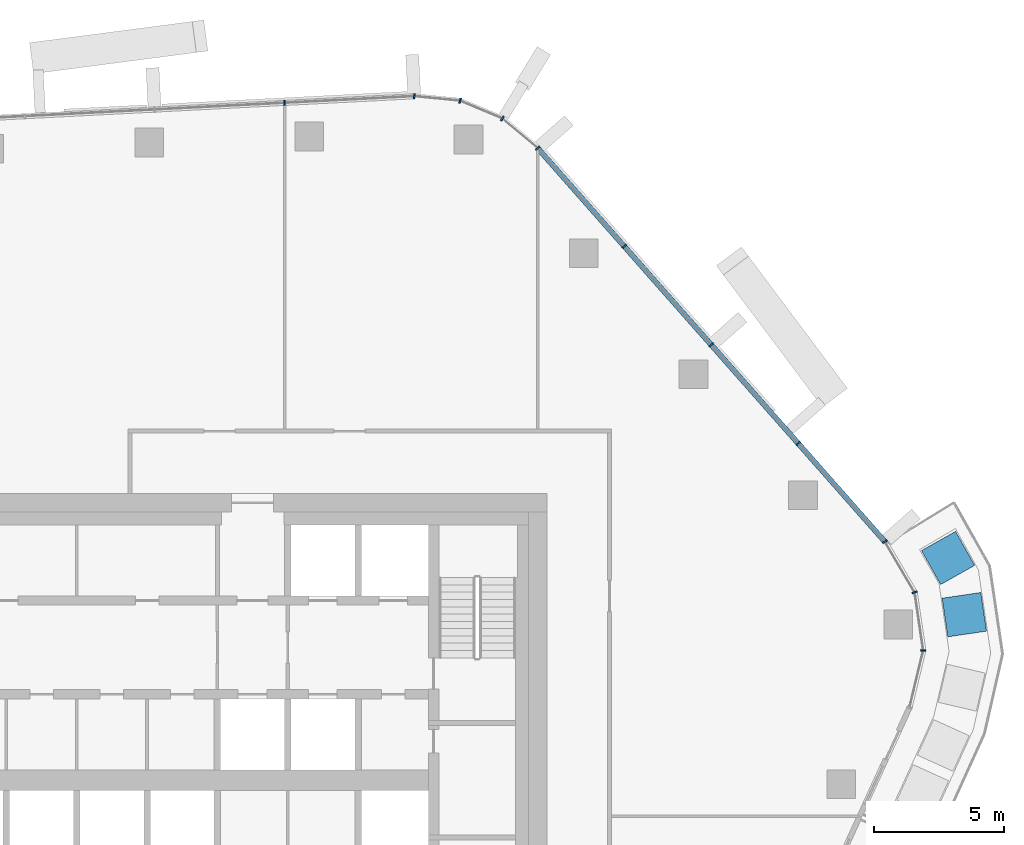
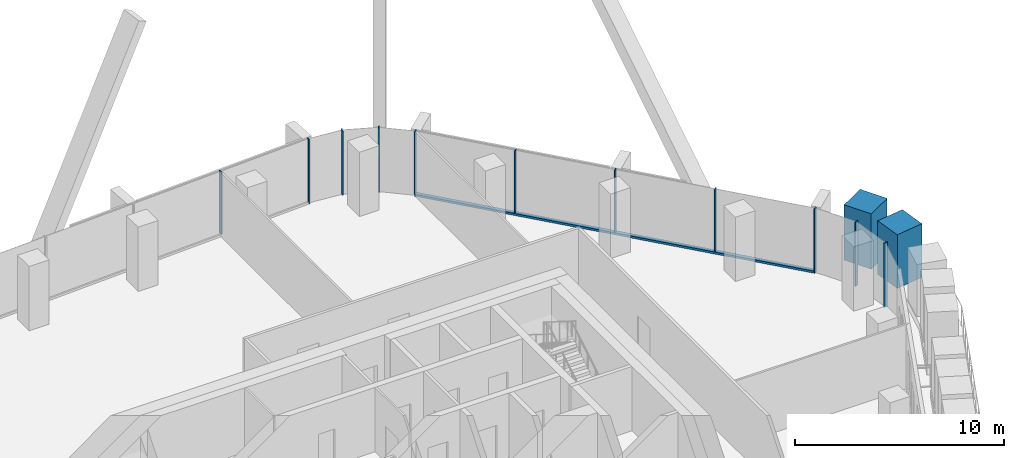
# One storey, part 7 of 20: 14 members, 4 elements without a shape of their own.
"""IFC4 building model written with IfcOpenShell, lengths in metres."""

from ifc_helpers import new_model, si_unit, direction, frame, origin, origin_2d, place, context, subcontext, project, spatial, rectangle, extrude, material, layer, layer_set, material_profile, profile_set, type_object, element, aggregate, save


model = new_model("IFC4")

# Units and contexts
model_context = context("Model", 3, precision=1e-05, world=origin(), true_north=direction((0.0, 1.0)))
body_context = subcontext(model_context, "Body", "Model", "MODEL_VIEW")
ifc_project = project(units=[si_unit("LENGTHUNIT", "METRE"), si_unit("AREAUNIT", "SQUARE_METRE"), si_unit("VOLUMEUNIT", "CUBIC_METRE"), si_unit("PLANEANGLEUNIT", "RADIAN"), si_unit("MASSUNIT", "GRAM", prefix="KILO")], contexts=[model_context])

# Site, building, storey
site_placement = place(None, origin())
site = spatial("IfcSite", under=ifc_project, at=site_placement, CompositionType="ELEMENT")
building_placement = place(site_placement, origin())
building = spatial("IfcBuilding", under=site, at=building_placement, Name="Dongbaek Canopy Tower", CompositionType="ELEMENT")
storey_placement = place(building_placement, frame((0.0, 0.0, 228.60009765625)))
storey = spatial("IfcBuildingStorey", under=building, at=storey_placement, Name="L47", CompositionType="ELEMENT", Elevation=228.60009765625)

# Curtain wall, members
ifc_material_1 = material(Name="Aluminium 6063-T6 pale anodised", Category="aluminium")
ifc_layer = layer(ifc_material_1, 0.199951171875)
ifc_layer_set = layer_set([ifc_layer], Name="CW-1 unitised tower curtain wall")
curtain_wall_type = type_object("IfcCurtainWallType", Name="CW-1 unitised tower curtain wall", PredefinedType="NOTDEFINED", material=ifc_layer_set)
curtain_wall_1_placement = place(storey_placement, origin())
curtain_wall_1 = element("IfcCurtainWall", 1, at=curtain_wall_1_placement, inside=storey, type_object=curtain_wall_type, Name="CW-1 curtain wall K0.1", PredefinedType="NOTDEFINED")
ifc_material_2 = material(Name="Aluminium 6063-T6 pale anodised", Category="aluminium")
ifc_material_profile_1 = material_profile(ifc_material_2, rectangle(XDim=0.199951171875, YDim=0.06005859375, at=origin_2d()), Name="CW-1 mullion 60 x 200")
ifc_profile_set_1 = profile_set([ifc_material_profile_1], Name="Aluminium 6063-T6 pale anodised")
member_type_1 = type_object("IfcMemberType", Name="CW-1 mullion 60 x 200", PredefinedType="MULLION", material=ifc_profile_set_1)
member_1_placement = place(storey_placement, frame((28.447509765625, 4.9853515625, 0.0), z_axis=(0.0, 0.0, 1.0), x_axis=(0.998982572587, -0.045097889837, 0.0)))
member_1 = element("IfcMember", 2, at=member_1_placement, type_object=member_type_1, Name="CW-1 mullion K0.1.2", PredefinedType="MULLION", context=body_context, shape_type="SweptSolid", body=[
    extrude(rectangle(XDim=0.199951171875, YDim=0.06005859375, at=origin_2d()), origin(), (0.0, 0.0, 1.0), 3.75),
])
member_2_placement = place(storey_placement, frame((28.117919921875, 7.21240234375, 0.0), z_axis=(0.0, 0.0, 1.0), x_axis=(0.943107771326, 0.332487190226, 0.0)))
member_2 = element("IfcMember", 3, at=member_2_placement, type_object=member_type_1, Name="CW-1 mullion K0.1.3", PredefinedType="MULLION", context=body_context, shape_type="SweptSolid", body=[
    extrude(rectangle(XDim=0.199951171875, YDim=0.06005859375, at=origin_2d()), origin(), (0.0, 0.0, 1.0), 3.75),
])
member_3_placement = place(storey_placement, frame((26.972900390625, 9.162109375, 0.0), z_axis=(0.0, 0.0, 1.0), x_axis=(0.862318339325, 0.506366548722, 0.0)))
member_3 = element("IfcMember", 4, at=member_3_placement, type_object=member_type_1, Name="CW-1 mullion K0.1.4", PredefinedType="MULLION", context=body_context, shape_type="SweptSolid", body=[
    extrude(rectangle(XDim=0.199951171875, YDim=0.06005859375, at=origin_2d()), origin(), (0.0, 0.0, 1.0), 3.75),
])
aggregate(curtain_wall_1, [member_1, member_2, member_3])

curtain_wall_2_placement = place(storey_placement, origin())
curtain_wall_2 = element("IfcCurtainWall", 5, at=curtain_wall_2_placement, inside=storey, type_object=curtain_wall_type, Name="CW-1 curtain wall F0.1", PredefinedType="NOTDEFINED")
member_4_placement = place(storey_placement, frame((23.64501953125, 12.933837890625, 0.119873046875), z_axis=(0.0, 0.0, 1.0), x_axis=(0.749829254199, 0.661631384947, 0.0)))
member_4 = element("IfcMember", 6, at=member_4_placement, type_object=member_type_1, Name="CW-1 mullion F0.1.2", PredefinedType="MULLION", context=body_context, shape_type="SweptSolid", body=[
    extrude(rectangle(XDim=0.199951171875, YDim=0.06005859375, at=origin_2d()), origin(), (0.0, 0.0, 1.0), 3.630126953125),
])
member_5_placement = place(storey_placement, frame((20.310546875, 16.712646484375, 0.119873046875), z_axis=(0.0, 0.0, 1.0), x_axis=(0.749829254199, 0.661631384947, 0.0)))
member_5 = element("IfcMember", 7, at=member_5_placement, type_object=member_type_1, Name="CW-1 mullion F0.1.3", PredefinedType="MULLION", context=body_context, shape_type="SweptSolid", body=[
    extrude(rectangle(XDim=0.199951171875, YDim=0.06005859375, at=origin_2d()), origin(), (0.0, 0.0, 1.0), 3.630126953125),
])
member_6_placement = place(storey_placement, frame((16.976318359375, 20.491455078125, 0.119873046875), z_axis=(0.0, 0.0, 1.0), x_axis=(0.749829254199, 0.661631384947, 0.0)))
member_6 = element("IfcMember", 8, at=member_6_placement, type_object=member_type_1, Name="CW-1 mullion F0.1.4", PredefinedType="MULLION", context=body_context, shape_type="SweptSolid", body=[
    extrude(rectangle(XDim=0.199951171875, YDim=0.06005859375, at=origin_2d()), origin(), (0.0, 0.0, 1.0), 3.630126953125),
])
member_7_placement = place(storey_placement, frame((13.646728515625, 24.2646484375, 0.119873046875), z_axis=(0.0, 0.0, 1.0), x_axis=(0.749829254199, 0.661631384947, 0.0)))
member_7 = element("IfcMember", 9, at=member_7_placement, type_object=member_type_1, Name="CW-1 mullion F0.1.5", PredefinedType="MULLION", context=body_context, shape_type="SweptSolid", body=[
    extrude(rectangle(XDim=0.199951171875, YDim=0.06005859375, at=origin_2d()), origin(), (0.0, 0.0, 1.0), 3.630126953125),
])

curtain_wall_3_placement = place(storey_placement, origin())
curtain_wall_3 = element("IfcCurtainWall", 10, at=curtain_wall_3_placement, inside=storey, type_object=curtain_wall_type, Name="CW-1 curtain wall K1.1", PredefinedType="NOTDEFINED")
member_8_placement = place(storey_placement, frame((12.291748046875, 25.4013671875, 0.0), z_axis=(0.0, 0.0, 1.0), x_axis=(0.521098970502, 0.853496258306, 0.0)))
member_8 = element("IfcMember", 11, at=member_8_placement, type_object=member_type_1, Name="CW-1 mullion K1.1.2", PredefinedType="MULLION", context=body_context, shape_type="SweptSolid", body=[
    extrude(rectangle(XDim=0.199951171875, YDim=0.06005859375, at=origin_2d()), origin(), (0.0, 0.0, 1.0), 3.75),
])
member_9_placement = place(storey_placement, frame((10.66845703125, 26.08447265625, 0.0), z_axis=(0.0, 0.0, 1.0), x_axis=(0.245923306324, 0.969289289844, 0.0)))
member_9 = element("IfcMember", 12, at=member_9_placement, type_object=member_type_1, Name="CW-1 mullion K1.1.3", PredefinedType="MULLION", context=body_context, shape_type="SweptSolid", body=[
    extrude(rectangle(XDim=0.199951171875, YDim=0.06005859375, at=origin_2d()), origin(), (0.0, 0.0, 1.0), 3.75),
])
member_10_placement = place(storey_placement, frame((8.908447265625, 26.258544921875, 0.0), z_axis=(0.0, 0.0, 1.0), x_axis=(0.098479301867, 0.995139099374, 0.0)))
member_10 = element("IfcMember", 13, at=member_10_placement, type_object=member_type_1, Name="CW-1 mullion K1.1.4", PredefinedType="MULLION", context=body_context, shape_type="SweptSolid", body=[
    extrude(rectangle(XDim=0.199951171875, YDim=0.06005859375, at=origin_2d()), origin(), (0.0, 0.0, 1.0), 3.75),
])
aggregate(curtain_wall_3, [member_8, member_9, member_10])

# Curtain wall, member
curtain_wall_4_placement = place(storey_placement, origin())
curtain_wall_4 = element("IfcCurtainWall", 14, at=curtain_wall_4_placement, inside=storey, type_object=curtain_wall_type, Name="CW-1 curtain wall F1.1", PredefinedType="NOTDEFINED")
member_11_placement = place(storey_placement, frame((3.9287109375, 26.00341796875, 0.119873046875), z_axis=(0.0, 0.0, 1.0), x_axis=(-0.051171421559, 0.998689884607, 0.0)))
member_11 = element("IfcMember", 15, at=member_11_placement, type_object=member_type_1, Name="CW-1 mullion F1.1.2", PredefinedType="MULLION", context=body_context, shape_type="SweptSolid", body=[
    extrude(rectangle(XDim=0.199951171875, YDim=0.06005859375, at=origin_2d()), origin(), (0.0, 0.0, 1.0), 3.630126953125),
])
aggregate(curtain_wall_4, [member_11])

# Member
ifc_material_3 = material(Name="Aluminium 6063-T6 pale anodised", Category="aluminium")
ifc_material_profile_2 = material_profile(ifc_material_3, rectangle(XDim=0.199951171875, YDim=0.1201171875, at=origin_2d()), Name="CW-1 transom 120 x 200")
ifc_profile_set_2 = profile_set([ifc_material_profile_2], Name="Aluminium 6063-T6 pale anodised")
member_type_2 = type_object("IfcMemberType", Name="CW-1 transom 120 x 200", PredefinedType="USERDEFINED", material=ifc_profile_set_2)
member_12_placement = place(storey_placement, frame((26.972900390625, 9.162109375, 0.059814453125), z_axis=(-0.66163286225, 0.74982795066, 0.0), x_axis=(-0.74982795066, -0.66163286225, 0.0)))
member_12 = element("IfcMember", 16, at=member_12_placement, type_object=member_type_2, Name="CW-1 transom F0.1.1", ObjectType="TRANSOM", PredefinedType="USERDEFINED", context=body_context, shape_type="SweptSolid", body=[
    extrude(rectangle(XDim=0.199951171875, YDim=0.1201171875, at=origin_2d()), origin(), (0.0, 0.0, 1.0), 20.141357421875),
])

aggregate(curtain_wall_2, [member_4, member_5, member_6, member_7, member_12])

# Members
ifc_material_4 = material(Name="Concrete C40/50 planter mass with planting", Category="concrete")
ifc_material_profile_3 = material_profile(ifc_material_4, rectangle(XDim=1.5, YDim=1.5, at=origin_2d()), Name="Terrace PLANTER shrub mass 1500 x 1500")
ifc_profile_set_3 = profile_set([ifc_material_profile_3], Name="Concrete C40/50 planter mass with planting")
member_type_3 = type_object("IfcMemberType", Name="Terrace PLANTER shrub mass 1500 x 1500", PredefinedType="USERDEFINED", material=ifc_profile_set_3)
member_13_placement = place(storey_placement, frame((30.022705078125, 6.3564453125, 0.419921875), z_axis=(0.0, 0.0, 1.0), x_axis=(0.989227652843, 0.146385282221, 0.0)))
element("IfcMember", 17, at=member_13_placement, inside=storey, type_object=member_type_3, Name="Planter shrubs L47 3.4", ObjectType="PLANTER", PredefinedType="USERDEFINED", context=body_context, shape_type="SweptSolid", body=[
    extrude(rectangle(XDim=1.5, YDim=1.5, at=origin_2d()), origin(), (0.0, 0.0, 1.0), 3.1298828125),
])
member_14_placement = place(storey_placement, frame((29.400146484375, 8.532958984375, 0.419921875), z_axis=(0.0, 0.0, 1.0), x_axis=(0.871626237396, 0.490171094907, 0.0)))
element("IfcMember", 18, at=member_14_placement, inside=storey, type_object=member_type_3, Name="Planter shrubs L47 3.5", ObjectType="PLANTER", PredefinedType="USERDEFINED", context=body_context, shape_type="SweptSolid", body=[
    extrude(rectangle(XDim=1.5, YDim=1.5, at=origin_2d()), origin(), (0.0, 0.0, 1.0), 3.22998046875),
])

save(model, "model.ifc")
